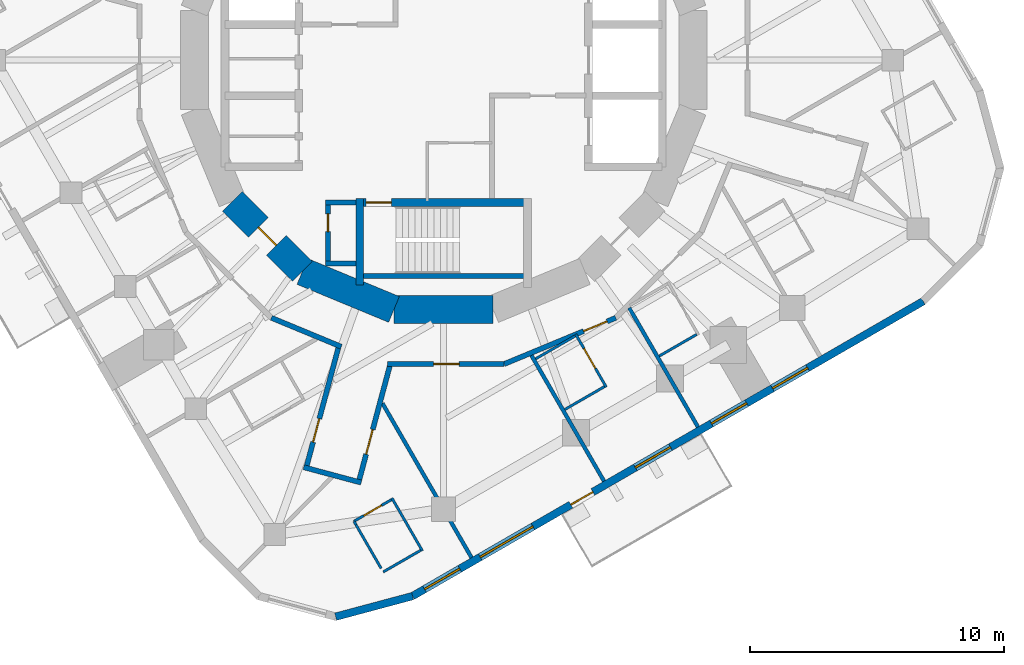
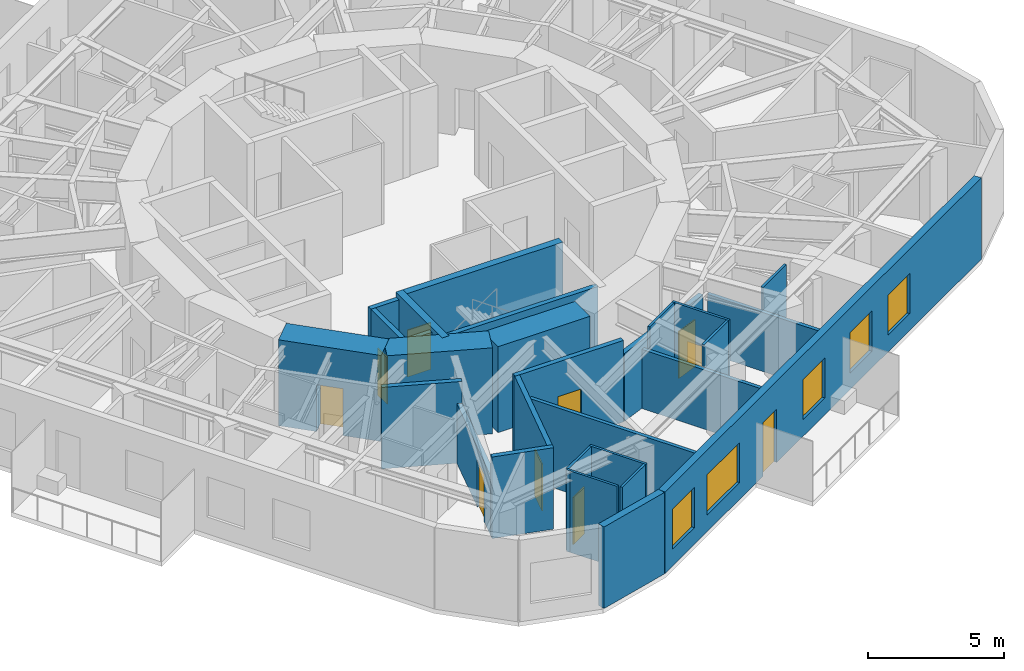
# One storey, part 4 of 11: 29 walls, 10 doors, 5 windows, 15 openings.
"""IFC4 building model written with IfcOpenShell, lengths in metres."""

from ifc_helpers import new_model, si_unit, direction, frame, frame_2d, origin, place, context, subcontext, project, spatial, rectangle, extrude, material, layer, layer_set, type_object, element, fill, save


model = new_model("IFC4")

# Units and contexts
model_context = context("Model", 3, precision=1e-05, world=origin(), true_north=direction((0.0, 1.0)))
body_context = subcontext(model_context, "Body", "Model", "MODEL_VIEW")
ifc_project = project(units=[si_unit("LENGTHUNIT", "METRE"), si_unit("AREAUNIT", "SQUARE_METRE"), si_unit("VOLUMEUNIT", "CUBIC_METRE"), si_unit("PLANEANGLEUNIT", "RADIAN"), si_unit("MASSUNIT", "GRAM", prefix="KILO")], contexts=[model_context])

# Site, building, storey
site_placement = place(None, origin())
site = spatial("IfcSite", under=ifc_project, at=site_placement, CompositionType="ELEMENT")
building_placement = place(site_placement, origin())
building = spatial("IfcBuilding", under=site, at=building_placement, Name="Nakasero Lantern House", CompositionType="ELEMENT")
storey_placement = place(building_placement, frame((0.0, 0.0, 253.89990234375)))
storey = spatial("IfcBuildingStorey", under=building, at=storey_placement, Name="L62", CompositionType="ELEMENT", Elevation=253.89990234375)

# Wall, opening, door
ifc_material_1 = material(Name="Concrete C50/60", Category="concrete")
ifc_layer_1 = layer(ifc_material_1, 0.300048828125)
ifc_layer_set_1 = layer_set([ifc_layer_1], Name="Core inner wall 300")
wall_type_1 = type_object("IfcWallType", Name="Core inner wall 300", PredefinedType="SHEAR", material=ifc_layer_set_1)
wall_1_placement = place(storey_placement, frame((-3.449951171875, -5.60009765625, 0.0), z_axis=(0.0, 0.0, 1.0), x_axis=(1.0, 0.0, 0.0)))
wall_1 = element("IfcWall", 1, at=wall_1_placement, inside=storey, type_object=wall_type_1, Name="Core inner wall L62 SS", PredefinedType="SHEAR", context=body_context, shape_type="SweptSolid", body=[
    extrude(rectangle(XDim=6.89990234375, YDim=0.300048828125, at=frame_2d((3.449951171875, 0.0))), origin(), (0.0, 0.0, 1.0), 3.85009765625),
])
opening_1_placement = place(wall_1_placement, frame((0.39990234375, 0.0, 0.0)))
opening_1 = element("IfcOpeningElement", 2, at=opening_1_placement, cuts=wall_1, Name="Opening D05", PredefinedType="OPENING", context=body_context, shape_type="SweptSolid", body=[
    extrude(rectangle(XDim=1.0, YDim=2.10009765625, at=frame_2d((0.5, 1.050048828125))), frame((0.0, 0.169921875, 0.0), z_axis=(0.0, -1.0, 0.0), x_axis=(1.0, 0.0, 0.0)), (0.0, 0.0, 1.0), 0.340087890625),
])
ifc_material_2 = material(Name="Timber C24", Category="wood")
door_type_1 = type_object("IfcDoorType", Name="Core door FD60S 1000", OperationType="SINGLE_SWING_LEFT", PredefinedType="DOOR", material=ifc_material_2)
door_1_placement = place(opening_1_placement, origin())
door_1 = element("IfcDoor", 3, at=door_1_placement, inside=storey, type_object=door_type_1, Name="Door L62 D-ST2", OperationType="SINGLE_SWING_LEFT", OverallHeight=2.10009765625, OverallWidth=1.0, PredefinedType="DOOR", context=body_context, shape_type="SweptSolid", body=[
    extrude(rectangle(XDim=1.0, YDim=2.10009765625, at=frame_2d((0.5, 1.050048828125))), frame((0.0, 0.02490234375, 0.0), z_axis=(0.0, -1.0, 0.0), x_axis=(1.0, 0.0, 0.0)), (0.0, 0.0, 1.0), 0.050048828125),
])
fill(opening_1, door_1)

# Wall
wall_2_placement = place(storey_placement, frame((-3.300048828125, -5.449951171875, 0.0), z_axis=(0.0, 0.0, 1.0), x_axis=(0.0, -1.0, 0.0)))
element("IfcWall", 4, at=wall_2_placement, inside=storey, type_object=wall_type_1, Name="Core inner wall L62 SSW", PredefinedType="SHEAR", context=body_context, shape_type="SweptSolid", body=[
    extrude(rectangle(XDim=3.400146484375, YDim=0.300048828125, at=frame_2d((1.7001953125, 0.0))), origin(), (0.0, 0.0, 1.0), 3.85009765625),
])

# Wall, opening, door
ifc_material_3 = material(Name="Concrete C50/60", Category="concrete")
ifc_layer_2 = layer(ifc_material_3, 1.10009765625)
ifc_layer_set_2 = layer_set([ifc_layer_2], Name="Core wall 1100")
wall_type_2 = type_object("IfcWallType", Name="Core wall 1100", PredefinedType="SHEAR", material=ifc_layer_set_2)
wall_3_placement = place(storey_placement, frame((-8.314697265625, -5.5556640625, 0.0), z_axis=(0.0, 0.0, 1.0), x_axis=(0.707106781187, -0.707106781187, 0.0)))
wall_3 = element("IfcWall", 5, at=wall_3_placement, inside=storey, type_object=wall_type_2, Name="Core wall L62 facet 10", PredefinedType="SHEAR", context=body_context, shape_type="SweptSolid", body=[
    extrude(rectangle(XDim=3.90185546875, YDim=1.10009765625, at=frame_2d((1.950927734375, 0.0))), origin(), (0.0, 0.0, 1.0), 3.85009765625),
])
opening_2_placement = place(wall_3_placement, frame((1.450927734375, 0.0, 0.0)))
opening_2 = element("IfcOpeningElement", 6, at=opening_2_placement, cuts=wall_3, Name="Opening D05", PredefinedType="OPENING", context=body_context, shape_type="SweptSolid", body=[
    extrude(rectangle(XDim=1.0, YDim=2.10009765625, at=frame_2d((0.5, 1.050048828125))), frame((0.0, 0.570068359375, 0.0), z_axis=(0.0, -1.0, 0.0), x_axis=(1.0, 0.0, 0.0)), (0.0, 0.0, 1.0), 1.14013671875),
])
door_2_placement = place(opening_2_placement, origin())
door_2 = element("IfcDoor", 7, at=door_2_placement, inside=storey, type_object=door_type_1, Name="Door L62 D-CORE10", OperationType="SINGLE_SWING_LEFT", OverallHeight=2.10009765625, OverallWidth=1.0, PredefinedType="DOOR", context=body_context, shape_type="SweptSolid", body=[
    extrude(rectangle(XDim=1.0, YDim=2.10009765625, at=frame_2d((0.5, 1.050048828125))), frame((0.0, 0.02490234375, 0.0), z_axis=(0.0, -1.0, 0.0), x_axis=(1.0, 0.0, 0.0)), (0.0, 0.0, 1.0), 0.050048828125),
])
fill(opening_2, door_2)

# Walls
for number, where, z_axis, x_axis, name in (
    (8, (-5.5556640625, -8.314697265625, 0.0), (0.0, 0.0, 1.0), (0.923876507187, -0.382690736062, 0.0), "Core wall L62 facet 11"),
    (9, (-1.950927734375, -9.807861328125, 0.0), (0.0, 0.0, 1.0), (1.0, 0.0, 0.0), "Core wall L62 facet 12"),
):
    element("IfcWall", number, at=place(storey_placement, frame(where, z_axis=z_axis, x_axis=x_axis)), inside=storey, type_object=wall_type_2, Name=name, PredefinedType="SHEAR", context=body_context, shape_type="SweptSolid", body=[
        extrude(rectangle(XDim=3.90185546875, YDim=1.10009765625, at=frame_2d((1.950927734375, 0.0))), origin(), (0.0, 0.0, 1.0), 3.85009765625),
    ])

# Wall, opening, door
ifc_material_4 = material(Name="Blockwork", Category="masonry")
ifc_layer_3 = layer(ifc_material_4, 0.199951171875)
ifc_layer_set_3 = layer_set([ifc_layer_3], Name="Corridor wall 200")
wall_type_3 = type_object("IfcWallType", Name="Corridor wall 200", PredefinedType="PARTITIONING", material=ifc_layer_set_3)
wall_4_placement = place(storey_placement, frame((6.773681640625, -10.137451171875, 0.0), z_axis=(0.0, 0.0, 1.0), x_axis=(-0.923891735412, -0.382653970627, 0.0)))
wall_4 = element("IfcWall", 10, at=wall_4_placement, inside=storey, type_object=wall_type_3, Name="Corridor wall L62 RC03a", PredefinedType="PARTITIONING", context=body_context, shape_type="SweptSolid", body=[
    extrude(rectangle(XDim=4.757080078125, YDim=0.199951171875, at=frame_2d((2.37841796875, 0.0))), origin(), (0.0, 0.0, 1.0), 3.037841796875),
])
opening_3_placement = place(wall_4_placement, frame((0.3701171875, 0.0, 0.0)))
opening_3 = element("IfcOpeningElement", 11, at=opening_3_placement, cuts=wall_4, Name="Opening D07", PredefinedType="OPENING", context=body_context, shape_type="SweptSolid", body=[
    extrude(rectangle(XDim=1.0, YDim=2.10009765625, at=frame_2d((0.5, 1.050048828125))), frame((0.0, 0.119873046875, 0.0), z_axis=(0.0, -1.0, 0.0), x_axis=(1.0, 0.0, 0.0)), (0.0, 0.0, 1.0), 0.239990234375),
])
ifc_material_5 = material(Name="Timber C24", Category="wood")
door_type_2 = type_object("IfcDoorType", Name="Room door FD30S 1000", OperationType="SINGLE_SWING_LEFT", PredefinedType="DOOR", material=ifc_material_5)
door_3_placement = place(opening_3_placement, origin())
door_3 = element("IfcDoor", 12, at=door_3_placement, inside=storey, type_object=door_type_2, Name="Door L62 D3-03", OperationType="SINGLE_SWING_LEFT", OverallHeight=2.10009765625, OverallWidth=1.0, PredefinedType="DOOR", context=body_context, shape_type="SweptSolid", body=[
    extrude(rectangle(XDim=1.0, YDim=2.10009765625, at=frame_2d((0.5, 1.050048828125))), frame((0.0, 0.02490234375, 0.0), z_axis=(0.0, -1.0, 0.0), x_axis=(1.0, 0.0, 0.0)), (0.0, 0.0, 1.0), 0.050048828125),
])
fill(opening_3, door_3)

wall_5_placement = place(storey_placement, frame((2.378662109375, -11.957763671875, 0.0), z_axis=(0.0, 0.0, 1.0), x_axis=(-1.0, 0.0, 0.0)))
wall_5 = element("IfcWall", 13, at=wall_5_placement, inside=storey, type_object=wall_type_3, Name="Corridor wall L62 RC04a", PredefinedType="PARTITIONING", context=body_context, shape_type="SweptSolid", body=[
    extrude(rectangle(XDim=4.57861328125, YDim=0.199951171875, at=frame_2d((2.289306640625, 0.0))), origin(), (0.0, 0.0, 1.0), 3.650146484375),
])
opening_4_placement = place(wall_5_placement, frame((1.77001953125, 0.0, 0.0)))
opening_4 = element("IfcOpeningElement", 14, at=opening_4_placement, cuts=wall_5, Name="Opening D03", PredefinedType="OPENING", context=body_context, shape_type="SweptSolid", body=[
    extrude(rectangle(XDim=1.0, YDim=2.10009765625, at=frame_2d((0.5, 1.050048828125))), frame((0.0, 0.119873046875, 0.0), z_axis=(0.0, -1.0, 0.0), x_axis=(1.0, 0.0, 0.0)), (0.0, 0.0, 1.0), 0.239990234375),
])
ifc_material_6 = material(Name="Timber C24", Category="wood")
door_type_3 = type_object("IfcDoorType", Name="Lounge door FD30S 1000", OperationType="SINGLE_SWING_LEFT", PredefinedType="DOOR", material=ifc_material_6)
door_4_placement = place(opening_4_placement, origin())
door_4 = element("IfcDoor", 15, at=door_4_placement, inside=storey, type_object=door_type_3, Name="Door L62 DK3", OperationType="SINGLE_SWING_LEFT", OverallHeight=2.10009765625, OverallWidth=1.0, PredefinedType="DOOR", context=body_context, shape_type="SweptSolid", body=[
    extrude(rectangle(XDim=1.0, YDim=2.10009765625, at=frame_2d((0.5, 1.050048828125))), frame((0.0, 0.02490234375, 0.0), z_axis=(0.0, -1.0, 0.0), x_axis=(1.0, 0.0, 0.0)), (0.0, 0.0, 1.0), 0.050048828125),
])
fill(opening_4, door_4)

# Wall
wall_6_placement = place(storey_placement, frame((-4.025634765625, -11.275634765625, 0.0), z_axis=(0.0, 0.0, 1.0), x_axis=(-0.923890787601, 0.382656259044, 0.0)))
element("IfcWall", 16, at=wall_6_placement, inside=storey, type_object=wall_type_3, Name="Corridor wall L62 RC05a", PredefinedType="PARTITIONING", context=body_context, shape_type="SweptSolid", body=[
    extrude(rectangle(XDim=2.974365234375, YDim=0.199951171875, at=frame_2d((1.4873046875, 0.0))), origin(), (0.0, 0.0, 1.0), 3.650146484375),
])

# Wall, opening, door
wall_7_placement = place(storey_placement, frame((-4.11865234375, -11.237060546875, 0.0), z_axis=(0.0, 0.0, 1.0), x_axis=(-0.258827481333, -0.965923565769, 0.0)))
wall_7 = element("IfcWall", 17, at=wall_7_placement, inside=storey, type_object=wall_type_3, Name="Corridor wall L62 SP2a", PredefinedType="PARTITIONING", context=body_context, shape_type="SweptSolid", body=[
    extrude(rectangle(XDim=5.07373046875, YDim=0.199951171875, at=frame_2d((2.536865234375, 0.0))), origin(), (0.0, 0.0, 1.0), 2.669921875),
])
opening_5_placement = place(wall_7_placement, frame((2.969970703125, 0.0, 0.0)))
opening_5 = element("IfcOpeningElement", 18, at=opening_5_placement, cuts=wall_7, Name="Opening D01", PredefinedType="OPENING", context=body_context, shape_type="SweptSolid", body=[
    extrude(rectangle(XDim=0.949951171875, YDim=2.10009765625, at=frame_2d((0.47509765625, 1.050048828125))), frame((0.0, 0.119873046875, 0.0), z_axis=(0.0, -1.0, 0.0), x_axis=(1.0, 0.0, 0.0)), (0.0, 0.0, 1.0), 0.239990234375),
])
ifc_material_7 = material(Name="Timber C24", Category="wood")
door_type_4 = type_object("IfcDoorType", Name="Bedroom door FD30S 950", OperationType="SINGLE_SWING_LEFT", PredefinedType="DOOR", material=ifc_material_7)
door_5_placement = place(opening_5_placement, origin())
door_5 = element("IfcDoor", 19, at=door_5_placement, inside=storey, type_object=door_type_4, Name="Door L62 D2-06", OperationType="SINGLE_SWING_RIGHT", OverallHeight=2.10009765625, OverallWidth=0.949951171875, PredefinedType="DOOR", context=body_context, shape_type="SweptSolid", body=[
    extrude(rectangle(XDim=0.949951171875, YDim=2.10009765625, at=frame_2d((0.47509765625, 1.050048828125))), frame((0.0, 0.02490234375, 0.0), z_axis=(0.0, -1.0, 0.0), x_axis=(1.0, 0.0, 0.0)), (0.0, 0.0, 1.0), 0.050048828125),
])
fill(opening_5, door_5)

wall_8_placement = place(storey_placement, frame((-2.096435546875, -11.957763671875, 0.0), z_axis=(0.0, 0.0, 1.0), x_axis=(-0.258794186145, -0.965932486884, 0.0)))
wall_8 = element("IfcWall", 20, at=wall_8_placement, inside=storey, type_object=wall_type_3, Name="Corridor wall L62 SP2b", PredefinedType="PARTITIONING", context=body_context, shape_type="SweptSolid", body=[
    extrude(rectangle(XDim=4.90087890625, YDim=0.199951171875, at=frame_2d((2.450439453125, 0.0))), origin(), (0.0, 0.0, 1.0), 3.650146484375),
])
opening_6_placement = place(wall_8_placement, frame((2.669921875, 0.0, 0.0)))
opening_6 = element("IfcOpeningElement", 21, at=opening_6_placement, cuts=wall_8, Name="Opening D07", PredefinedType="OPENING", context=body_context, shape_type="SweptSolid", body=[
    extrude(rectangle(XDim=1.0, YDim=2.10009765625, at=frame_2d((0.5, 1.050048828125))), frame((0.0, 0.119873046875, 0.0), z_axis=(0.0, -1.0, 0.0), x_axis=(1.0, 0.0, 0.0)), (0.0, 0.0, 1.0), 0.239990234375),
])
door_6_placement = place(opening_6_placement, origin())
door_6 = element("IfcDoor", 22, at=door_6_placement, inside=storey, type_object=door_type_2, Name="Door L62 D3-00", OperationType="SINGLE_SWING_RIGHT", OverallHeight=2.10009765625, OverallWidth=1.0, PredefinedType="DOOR", context=body_context, shape_type="SweptSolid", body=[
    extrude(rectangle(XDim=1.0, YDim=2.10009765625, at=frame_2d((0.5, 1.050048828125))), frame((0.0, 0.02490234375, 0.0), z_axis=(0.0, -1.0, 0.0), x_axis=(1.0, 0.0, 0.0)), (0.0, 0.0, 1.0), 0.050048828125),
])
fill(opening_6, door_6)

# Walls
wall_9_placement = place(storey_placement, frame((-5.502685546875, -16.015380859375, 0.0), z_axis=(0.0, 0.0, 1.0), x_axis=(0.965917312786, -0.258850815837, 0.0)))
element("IfcWall", 23, at=wall_9_placement, inside=storey, type_object=wall_type_3, Name="Corridor wall L62 SP2e", PredefinedType="PARTITIONING", context=body_context, shape_type="SweptSolid", body=[
    extrude(rectangle(XDim=2.340087890625, YDim=0.199951171875, at=frame_2d((1.169921875, 0.0))), origin(), (0.0, 0.0, 1.0), 3.650146484375),
])
ifc_material_8 = material(Name="Blockwork", Category="masonry")
ifc_layer_4 = layer(ifc_material_8, 0.10009765625)
ifc_layer_set_4 = layer_set([ifc_layer_4], Name="En-suite wall 100")
wall_type_4 = type_object("IfcWallType", Name="En-suite wall 100", PredefinedType="PARTITIONING", material=ifc_layer_set_4)
wall_10_placement = place(storey_placement, frame((-2.034912109375, -17.225341796875, 0.0), z_axis=(0.0, 0.0, 1.0), x_axis=(0.500001309137, -0.866024647952, 0.0)))
element("IfcWall", 24, at=wall_10_placement, inside=storey, type_object=wall_type_4, Name="En-suite wall L62 ES3-00", PredefinedType="PARTITIONING", context=body_context, shape_type="SweptSolid", body=[
    extrude(rectangle(XDim=2.39990234375, YDim=0.10009765625, at=frame_2d((1.199951171875, 0.0))), origin(), (0.0, 0.0, 1.0), 3.650146484375),
])
wall_11_placement = place(storey_placement, frame((-2.37548828125, -20.135498046875, 0.0), z_axis=(0.0, 0.0, 1.0), x_axis=(0.865989465428, 0.500062241894, 0.0)))
element("IfcWall", 25, at=wall_11_placement, inside=storey, type_object=wall_type_4, Name="En-suite wall L62 EE3-00", PredefinedType="PARTITIONING", context=body_context, shape_type="SweptSolid", body=[
    extrude(rectangle(XDim=1.699951171875, YDim=0.10009765625, at=frame_2d((0.85009765625, 0.0))), origin(), (0.0, 0.0, 1.0), 3.650146484375),
])

# Wall, opening, door
wall_12_placement = place(storey_placement, frame((-3.525634765625, -18.1435546875, 0.0), z_axis=(0.0, 0.0, 1.0), x_axis=(0.866025371046, 0.500000056704, 0.0)))
wall_12 = element("IfcWall", 26, at=wall_12_placement, inside=storey, type_object=wall_type_4, Name="En-suite wall L62 EI3-00", PredefinedType="PARTITIONING", context=body_context, shape_type="SweptSolid", body=[
    extrude(rectangle(XDim=1.7001953125, YDim=0.10009765625, at=frame_2d((0.85009765625, 0.0))), origin(), (0.0, 0.0, 1.0), 3.650146484375),
])
opening_7_placement = place(wall_12_placement, frame((0.449951171875, 0.0, 0.0)))
opening_7 = element("IfcOpeningElement", 27, at=opening_7_placement, cuts=wall_12, Name="Opening D15", PredefinedType="OPENING", context=body_context, shape_type="SweptSolid", body=[
    extrude(rectangle(XDim=0.800048828125, YDim=2.10009765625, at=frame_2d((0.39990234375, 1.050048828125))), frame((0.0, 0.070068359375, 0.0), z_axis=(0.0, -1.0, 0.0), x_axis=(1.0, 0.0, 0.0)), (0.0, 0.0, 1.0), 0.14013671875),
])
ifc_material_9 = material(Name="Timber C24", Category="wood")
door_type_5 = type_object("IfcDoorType", Name="Cleaner's store door FD30S 800", OperationType="SINGLE_SWING_LEFT", PredefinedType="DOOR", material=ifc_material_9)
door_7_placement = place(opening_7_placement, origin())
door_7 = element("IfcDoor", 28, at=door_7_placement, inside=storey, type_object=door_type_5, Name="Door L62 DE3-00", OperationType="SINGLE_SWING_RIGHT", OverallHeight=2.10009765625, OverallWidth=0.800048828125, PredefinedType="DOOR", context=body_context, shape_type="SweptSolid", body=[
    extrude(rectangle(XDim=0.800048828125, YDim=2.10009765625, at=frame_2d((0.39990234375, 1.050048828125))), frame((0.0, 0.02490234375, 0.0), z_axis=(0.0, -1.0, 0.0), x_axis=(1.0, 0.0, 0.0)), (0.0, 0.0, 1.0), 0.050048828125),
])
fill(opening_7, door_7)

wall_13_placement = place(storey_placement, frame((5.19775390625, -10.783935546875, 0.0), z_axis=(0.0, 0.0, 1.0), x_axis=(0.500077600433, -0.865980596518, 0.0)))
wall_13 = element("IfcWall", 29, at=wall_13_placement, inside=storey, type_object=wall_type_4, Name="En-suite wall L62 ES3-03", PredefinedType="PARTITIONING", context=body_context, shape_type="SweptSolid", body=[
    extrude(rectangle(XDim=2.39990234375, YDim=0.10009765625, at=frame_2d((1.199951171875, 0.0))), origin(), (0.0, 0.0, 1.0), 3.650146484375),
])
opening_8_placement = place(wall_13_placement, frame((0.64990234375, 0.0, 0.0)))
opening_8 = element("IfcOpeningElement", 30, at=opening_8_placement, cuts=wall_13, Name="Opening D16", PredefinedType="OPENING", context=body_context, shape_type="SweptSolid", body=[
    extrude(rectangle(XDim=0.89990234375, YDim=2.10009765625, at=frame_2d((0.449951171875, 1.050048828125))), frame((0.0, 0.070068359375, 0.0), z_axis=(0.0, -1.0, 0.0), x_axis=(1.0, 0.0, 0.0)), (0.0, 0.0, 1.0), 0.14013671875),
])
ifc_material_10 = material(Name="Timber C24", Category="wood")
door_type_6 = type_object("IfcDoorType", Name="Accessible WC door 900", OperationType="SINGLE_SWING_RIGHT", PredefinedType="DOOR", material=ifc_material_10)
door_8_placement = place(opening_8_placement, origin())
door_8 = element("IfcDoor", 31, at=door_8_placement, inside=storey, type_object=door_type_6, Name="Door L62 DE3-03", OperationType="SINGLE_SWING_LEFT", OverallHeight=2.10009765625, OverallWidth=0.89990234375, PredefinedType="DOOR", context=body_context, shape_type="SweptSolid", body=[
    extrude(rectangle(XDim=0.89990234375, YDim=2.10009765625, at=frame_2d((0.449951171875, 1.050048828125))), frame((0.0, 0.02490234375, 0.0), z_axis=(0.0, -1.0, 0.0), x_axis=(1.0, 0.0, 0.0)), (0.0, 0.0, 1.0), 0.050048828125),
])
fill(opening_8, door_8)

# Walls
for number, where, z_axis, x_axis, name in (
    (32, (4.770751953125, -13.744140625, 0.0), (0.0, 0.0, 1.0), (0.865989075817, 0.500062916607, 0.0), "En-suite wall L62 EE3-03"),
    (33, (3.62060546875, -11.752197265625, 0.0), (0.0, 0.0, 1.0), (0.866047807691, 0.499961193289, 0.0), "En-suite wall L62 EI3-03"),
):
    element("IfcWall", number, at=place(storey_placement, frame(where, z_axis=z_axis, x_axis=x_axis)), inside=storey, type_object=wall_type_4, Name=name, PredefinedType="PARTITIONING", context=body_context, shape_type="SweptSolid", body=[
        extrude(rectangle(XDim=1.800048828125, YDim=0.10009765625, at=frame_2d((0.89990234375, 0.0))), origin(), (0.0, 0.0, 1.0), 3.650146484375),
    ])
wall_14_placement = place(storey_placement, frame((8.483642578125, -11.642333984375, 0.0), z_axis=(0.0, 0.0, 1.0), x_axis=(0.865989465428, 0.500062241894, 0.0)))
element("IfcWall", 34, at=wall_14_placement, inside=storey, type_object=wall_type_4, Name="En-suite wall L62 EE3-04", PredefinedType="PARTITIONING", context=body_context, shape_type="SweptSolid", body=[
    extrude(rectangle(XDim=1.699951171875, YDim=0.10009765625, at=frame_2d((0.85009765625, 0.0))), origin(), (0.0, 0.0, 1.0), 3.650146484375),
])
wall_15_placement = place(storey_placement, frame((-3.445556640625, -18.2822265625, 0.0), z_axis=(0.0, 0.0, 1.0), x_axis=(0.500024883228, -0.866011036969, 0.0)))
element("IfcWall", 35, at=wall_15_placement, inside=storey, type_object=wall_type_4, Name="En-suite wall L62 EX003", PredefinedType="PARTITIONING", context=body_context, shape_type="SweptSolid", body=[
    extrude(rectangle(XDim=1.97998046875, YDim=0.10009765625, at=frame_2d((0.989990234375, 0.0))), origin(), (0.0, 0.0, 1.0), 3.650146484375),
])
wall_16_placement = place(storey_placement, frame((-3.525634765625, -18.1435546875, 0.0), z_axis=(0.0, 0.0, 1.0), x_axis=(0.500074377092, -0.865982457891, 0.0)))
element("IfcWall", 36, at=wall_16_placement, inside=storey, type_object=wall_type_4, Name="En-suite wall L62 EI3-00R0", PredefinedType="PARTITIONING", context=body_context, shape_type="SweptSolid", body=[
    extrude(rectangle(XDim=0.16015625, YDim=0.10009765625, at=frame_2d((0.080078125, 0.0))), origin(), (0.0, 0.0, 1.0), 3.650146484375),
])
ifc_material_11 = material(Name="Aluminium rainscreen on blockwork", Category="masonry")
ifc_layer_5 = layer(ifc_material_11, 0.300048828125)
ifc_layer_set_5 = layer_set([ifc_layer_5], Name="Facade wall 300")
wall_type_5 = type_object("IfcWallType", Name="Facade wall 300", PredefinedType="SOLIDWALL", material=ifc_layer_set_5)
wall_17_placement = place(storey_placement, frame((-4.245849609375, -21.89599609375, 0.0), z_axis=(0.0, 0.0, 1.0), x_axis=(0.96592369199, 0.258827010283, 0.0)))
element("IfcWall", 37, at=wall_17_placement, inside=storey, type_object=wall_type_5, Name="Facade wall L62 FW2C3", PredefinedType="SOLIDWALL", context=body_context, shape_type="SweptSolid", body=[
    extrude(rectangle(XDim=3.131591796875, YDim=0.300048828125, at=frame_2d((1.56591796875, 0.0))), origin(), (0.0, 0.0, 1.0), 3.650146484375),
])

# Wall, openings, door, windows
wall_18_placement = place(storey_placement, frame((-1.220947265625, -21.08544921875, 0.0), z_axis=(0.0, 0.0, 1.0), x_axis=(0.86602366199, 0.500003016864, 0.0)))
wall_18 = element("IfcWall", 38, at=wall_18_placement, inside=storey, type_object=wall_type_5, Name="Facade wall L62 FW3S", PredefinedType="SOLIDWALL", context=body_context, shape_type="SweptSolid", body=[
    extrude(rectangle(XDim=23.199951171875, YDim=0.300048828125, at=frame_2d((11.60009765625, 0.0))), origin(), (0.0, 0.0, 1.0), 3.650146484375),
])
opening_9_placement = place(wall_18_placement, frame((0.5458984375, 0.0, 0.75)))
opening_9 = element("IfcOpeningElement", 39, at=opening_9_placement, cuts=wall_18, Name="Opening W01", PredefinedType="OPENING", context=body_context, shape_type="SweptSolid", body=[
    extrude(rectangle(XDim=1.60009765625, YDim=1.800048828125, at=frame_2d((0.800048828125, 0.89990234375))), frame((0.0, 0.169921875, 0.0), z_axis=(0.0, -1.0, 0.0), x_axis=(1.0, 0.0, 0.0)), (0.0, 0.0, 1.0), 0.340087890625),
])
opening_10_placement = place(wall_18_placement, frame((10.11767578125, 0.0, 0.75)))
opening_10 = element("IfcOpeningElement", 40, at=opening_10_placement, cuts=wall_18, Name="Opening W01", PredefinedType="OPENING", context=body_context, shape_type="SweptSolid", body=[
    extrude(rectangle(XDim=1.60009765625, YDim=1.800048828125, at=frame_2d((0.800048828125, 0.89990234375))), frame((0.0, 0.169921875, 0.0), z_axis=(0.0, -1.0, 0.0), x_axis=(1.0, 0.0, 0.0)), (0.0, 0.0, 1.0), 0.340087890625),
])
opening_11_placement = place(wall_18_placement, frame((13.5751953125, 0.0, 0.75)))
opening_11 = element("IfcOpeningElement", 41, at=opening_11_placement, cuts=wall_18, Name="Opening W01", PredefinedType="OPENING", context=body_context, shape_type="SweptSolid", body=[
    extrude(rectangle(XDim=1.60009765625, YDim=1.800048828125, at=frame_2d((0.800048828125, 0.89990234375))), frame((0.0, 0.169921875, 0.0), z_axis=(0.0, -1.0, 0.0), x_axis=(1.0, 0.0, 0.0)), (0.0, 0.0, 1.0), 0.340087890625),
])
opening_12_placement = place(wall_18_placement, frame((16.349609375, 0.0, 0.75)))
opening_12 = element("IfcOpeningElement", 42, at=opening_12_placement, cuts=wall_18, Name="Opening W01", PredefinedType="OPENING", context=body_context, shape_type="SweptSolid", body=[
    extrude(rectangle(XDim=1.60009765625, YDim=1.800048828125, at=frame_2d((0.800048828125, 0.89990234375))), frame((0.0, 0.169921875, 0.0), z_axis=(0.0, -1.0, 0.0), x_axis=(1.0, 0.0, 0.0)), (0.0, 0.0, 1.0), 0.340087890625),
])
opening_13_placement = place(wall_18_placement, frame((3.071044921875, 0.0, 0.75)))
opening_13 = element("IfcOpeningElement", 43, at=opening_13_placement, cuts=wall_18, Name="Opening W03", PredefinedType="OPENING", context=body_context, shape_type="SweptSolid", body=[
    extrude(rectangle(XDim=2.39990234375, YDim=1.800048828125, at=frame_2d((1.199951171875, 0.89990234375))), frame((0.0, 0.169921875, 0.0), z_axis=(0.0, -1.0, 0.0), x_axis=(1.0, 0.0, 0.0)), (0.0, 0.0, 1.0), 0.340087890625),
])
opening_14_placement = place(wall_18_placement, frame((7.1904296875, 0.0, 0.0)))
opening_14 = element("IfcOpeningElement", 44, at=opening_14_placement, cuts=wall_18, Name="Opening D04", PredefinedType="OPENING", context=body_context, shape_type="SweptSolid", body=[
    extrude(rectangle(XDim=1.0, YDim=2.39990234375, at=frame_2d((0.5, 1.199951171875))), frame((0.0, 0.169921875, 0.0), z_axis=(0.0, -1.0, 0.0), x_axis=(1.0, 0.0, 0.0)), (0.0, 0.0, 1.0), 0.340087890625),
])
ifc_material_12 = material(Name="Aluminium 6063-T6 and glass", Category="aluminium")
door_type_7 = type_object("IfcDoorType", Name="Balcony door 1000x2400", OperationType="SINGLE_SWING_RIGHT", PredefinedType="DOOR", material=ifc_material_12)
door_9_placement = place(opening_14_placement, origin())
door_9 = element("IfcDoor", 45, at=door_9_placement, inside=storey, type_object=door_type_7, Name="Balcony door L62 DB3", OperationType="SINGLE_SWING_RIGHT", OverallHeight=2.39990234375, OverallWidth=1.0, PredefinedType="DOOR", context=body_context, shape_type="SweptSolid", body=[
    extrude(rectangle(XDim=1.0, YDim=2.39990234375, at=frame_2d((0.5, 1.199951171875))), frame((0.0, 0.02490234375, 0.0), z_axis=(0.0, -1.0, 0.0), x_axis=(1.0, 0.0, 0.0)), (0.0, 0.0, 1.0), 0.050048828125),
])
fill(opening_14, door_9)
ifc_material_13 = material(Name="Aluminium 6063-T6 and glass", Category="aluminium")
window_type_1 = type_object("IfcWindowType", Name="Bedroom window 1600x1800", PartitioningType="SINGLE_PANEL", PredefinedType="WINDOW", material=ifc_material_13)
window_1_placement = place(opening_9_placement, origin())
window_1 = element("IfcWindow", 46, at=window_1_placement, inside=storey, type_object=window_type_1, Name="Window L62 WN3-00", OverallHeight=1.800048828125, OverallWidth=1.60009765625, PartitioningType="SINGLE_PANEL", PredefinedType="WINDOW", context=body_context, shape_type="SweptSolid", body=[
    extrude(rectangle(XDim=1.60009765625, YDim=1.800048828125, at=frame_2d((0.800048828125, 0.89990234375))), frame((0.0, 0.030029296875, 0.0), z_axis=(0.0, -1.0, 0.0), x_axis=(1.0, 0.0, 0.0)), (0.0, 0.0, 1.0), 0.06005859375),
])
fill(opening_9, window_1)
window_2_placement = place(opening_10_placement, origin())
window_2 = element("IfcWindow", 47, at=window_2_placement, inside=storey, type_object=window_type_1, Name="Window L62 WN3-03", OverallHeight=1.800048828125, OverallWidth=1.60009765625, PartitioningType="SINGLE_PANEL", PredefinedType="WINDOW", context=body_context, shape_type="SweptSolid", body=[
    extrude(rectangle(XDim=1.60009765625, YDim=1.800048828125, at=frame_2d((0.800048828125, 0.89990234375))), frame((0.0, 0.030029296875, 0.0), z_axis=(0.0, -1.0, 0.0), x_axis=(1.0, 0.0, 0.0)), (0.0, 0.0, 1.0), 0.06005859375),
])
fill(opening_10, window_2)
window_3_placement = place(opening_11_placement, origin())
window_3 = element("IfcWindow", 48, at=window_3_placement, inside=storey, type_object=window_type_1, Name="Window L62 WN3-04", OverallHeight=1.800048828125, OverallWidth=1.60009765625, PartitioningType="SINGLE_PANEL", PredefinedType="WINDOW", context=body_context, shape_type="SweptSolid", body=[
    extrude(rectangle(XDim=1.60009765625, YDim=1.800048828125, at=frame_2d((0.800048828125, 0.89990234375))), frame((0.0, 0.030029296875, 0.0), z_axis=(0.0, -1.0, 0.0), x_axis=(1.0, 0.0, 0.0)), (0.0, 0.0, 1.0), 0.06005859375),
])
fill(opening_11, window_3)
window_4_placement = place(opening_12_placement, origin())
window_4 = element("IfcWindow", 49, at=window_4_placement, inside=storey, type_object=window_type_1, Name="Window L62 WN3-05", OverallHeight=1.800048828125, OverallWidth=1.60009765625, PartitioningType="SINGLE_PANEL", PredefinedType="WINDOW", context=body_context, shape_type="SweptSolid", body=[
    extrude(rectangle(XDim=1.60009765625, YDim=1.800048828125, at=frame_2d((0.800048828125, 0.89990234375))), frame((0.0, 0.030029296875, 0.0), z_axis=(0.0, -1.0, 0.0), x_axis=(1.0, 0.0, 0.0)), (0.0, 0.0, 1.0), 0.06005859375),
])
fill(opening_12, window_4)
ifc_material_14 = material(Name="Aluminium 6063-T6 and glass", Category="aluminium")
window_type_2 = type_object("IfcWindowType", Name="Lounge window 2400x1800", PartitioningType="SINGLE_PANEL", PredefinedType="WINDOW", material=ifc_material_14)
window_5_placement = place(opening_13_placement, origin())
window_5 = element("IfcWindow", 50, at=window_5_placement, inside=storey, type_object=window_type_2, Name="Window L62 WK3", OverallHeight=1.800048828125, OverallWidth=2.39990234375, PartitioningType="SINGLE_PANEL", PredefinedType="WINDOW", context=body_context, shape_type="SweptSolid", body=[
    extrude(rectangle(XDim=2.39990234375, YDim=1.800048828125, at=frame_2d((1.199951171875, 0.89990234375))), frame((0.0, 0.030029296875, 0.0), z_axis=(0.0, -1.0, 0.0), x_axis=(1.0, 0.0, 0.0)), (0.0, 0.0, 1.0), 0.06005859375),
])
fill(opening_13, window_5)

# Wall, opening, door
ifc_material_15 = material(Name="Blockwork", Category="masonry")
ifc_layer_6 = layer(ifc_material_15, 0.199951171875)
ifc_layer_set_6 = layer_set([ifc_layer_6], Name="Fire lobby wall 200")
wall_type_6 = type_object("IfcWallType", Name="Fire lobby wall 200", PredefinedType="PARTITIONING", material=ifc_layer_set_6)
wall_19_placement = place(storey_placement, frame((-4.550048828125, -5.60009765625, 0.0), z_axis=(0.0, 0.0, 1.0), x_axis=(0.0, -1.0, 0.0)))
wall_19 = element("IfcWall", 51, at=wall_19_placement, inside=storey, type_object=wall_type_6, Name="Fire lobby wall L62 W-RS2W", PredefinedType="PARTITIONING", context=body_context, shape_type="SweptSolid", body=[
    extrude(rectangle(XDim=2.39990234375, YDim=0.199951171875, at=frame_2d((1.199951171875, 0.0))), origin(), (0.0, 0.0, 1.0), 3.650146484375),
])
opening_15_placement = place(wall_19_placement, frame((0.449951171875, 0.0, 0.0)))
opening_15 = element("IfcOpeningElement", 52, at=opening_15_placement, cuts=wall_19, Name="Opening D06", PredefinedType="OPENING", context=body_context, shape_type="SweptSolid", body=[
    extrude(rectangle(XDim=0.699951171875, YDim=2.10009765625, at=frame_2d((0.35009765625, 1.050048828125))), frame((0.0, 0.119873046875, 0.0), z_axis=(0.0, -1.0, 0.0), x_axis=(1.0, 0.0, 0.0)), (0.0, 0.0, 1.0), 0.239990234375),
])
ifc_material_16 = material(Name="Steel S355", Category="steel")
door_type_8 = type_object("IfcDoorType", Name="Riser door FD60 700", OperationType="SINGLE_SWING_LEFT", PredefinedType="DOOR", material=ifc_material_16)
door_10_placement = place(opening_15_placement, origin())
door_10 = element("IfcDoor", 53, at=door_10_placement, inside=storey, type_object=door_type_8, Name="Door L62 D-RS2", OperationType="SINGLE_SWING_LEFT", OverallHeight=2.10009765625, OverallWidth=0.699951171875, PredefinedType="DOOR", context=body_context, shape_type="SweptSolid", body=[
    extrude(rectangle(XDim=0.699951171875, YDim=2.10009765625, at=frame_2d((0.35009765625, 1.050048828125))), frame((0.0, 0.02490234375, 0.0), z_axis=(0.0, -1.0, 0.0), x_axis=(1.0, 0.0, 0.0)), (0.0, 0.0, 1.0), 0.050048828125),
])
fill(opening_15, door_10)

# Walls
for number, where, z_axis, x_axis, name in (
    (54, (-3.449951171875, -8.0, 0.0), (0.0, 0.0, 1.0), (-1.0, 0.0, 0.0), "Fire lobby wall L62 W-RS2S"),
    (55, (-3.449951171875, -5.60009765625, 0.0), (0.0, 0.0, 1.0), (-1.0, 0.0, 0.0), "Fire lobby wall L62 W-RS2N"),
):
    element("IfcWall", number, at=place(storey_placement, frame(where, z_axis=z_axis, x_axis=x_axis)), inside=storey, type_object=wall_type_6, Name=name, PredefinedType="PARTITIONING", context=body_context, shape_type="SweptSolid", body=[
        extrude(rectangle(XDim=1.199951171875, YDim=0.199951171875, at=frame_2d((0.60009765625, 0.0))), origin(), (0.0, 0.0, 1.0), 3.650146484375),
    ])
wall_20_placement = place(storey_placement, frame((-3.300048828125, -8.5, 0.0), z_axis=(0.0, 0.0, 1.0), x_axis=(1.0, 0.0, 0.0)))
element("IfcWall", 56, at=wall_20_placement, inside=storey, type_object=wall_type_6, Name="Fire lobby wall L62 W-STS", PredefinedType="PARTITIONING", context=body_context, shape_type="SweptSolid", body=[
    extrude(rectangle(XDim=6.60009765625, YDim=0.199951171875, at=frame_2d((3.300048828125, 0.0))), origin(), (0.0, 0.0, 1.0), 3.650146484375),
])
ifc_material_17 = material(Name="Blockwork", Category="masonry")
ifc_layer_7 = layer(ifc_material_17, 0.14990234375)
ifc_layer_set_7 = layer_set([ifc_layer_7], Name="Party wall 150")
wall_type_7 = type_object("IfcWallType", Name="Party wall 150", PredefinedType="PARTITIONING", material=ifc_layer_set_7)
wall_21_placement = place(storey_placement, frame((-2.406005859375, -13.499755859375, 0.0), z_axis=(0.0, 0.0, 1.0), x_axis=(0.500014799677, -0.866016859018, 0.0)))
element("IfcWall", 57, at=wall_21_placement, inside=storey, type_object=wall_type_7, Name="Party wall L62 PW3-01", PredefinedType="PARTITIONING", context=body_context, shape_type="SweptSolid", body=[
    extrude(rectangle(XDim=7.011962890625, YDim=0.14990234375, at=frame_2d((3.505859375, 0.0))), origin(), (0.0, 0.0, 1.0), 3.650146484375),
])
wall_22_placement = place(storey_placement, frame((3.457275390625, -11.619140625, 0.0), z_axis=(0.0, 0.0, 1.0), x_axis=(0.500002556202, -0.866023927955, 0.0)))
element("IfcWall", 58, at=wall_22_placement, inside=storey, type_object=wall_type_7, Name="Party wall L62 PW3-03", PredefinedType="PARTITIONING", context=body_context, shape_type="SweptSolid", body=[
    extrude(rectangle(XDim=5.708984375, YDim=0.14990234375, at=frame_2d((2.8544921875, 0.0))), origin(), (0.0, 0.0, 1.0), 2.650146484375),
])
wall_23_placement = place(storey_placement, frame((7.3037109375, -9.748779296875, 0.0), z_axis=(0.0, 0.0, 1.0), x_axis=(0.500030010259, -0.86600807666, 0.0)))
element("IfcWall", 59, at=wall_23_placement, inside=storey, type_object=wall_type_7, Name="Party wall L62 PW3-04", PredefinedType="PARTITIONING", context=body_context, shape_type="SweptSolid", body=[
    extrude(rectangle(XDim=5.405517578125, YDim=0.14990234375, at=frame_2d((2.70263671875, 0.0))), origin(), (0.0, 0.0, 1.0), 2.64208984375),
])

save(model, "model.ifc")
